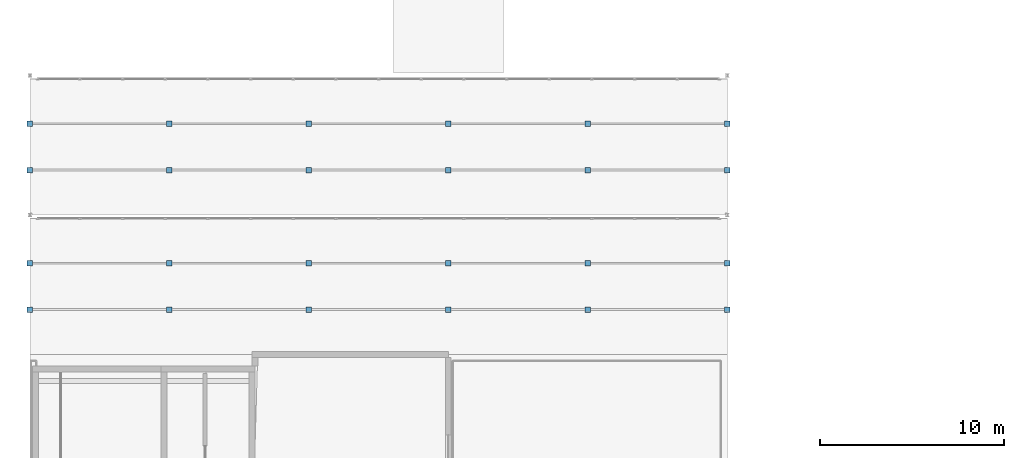
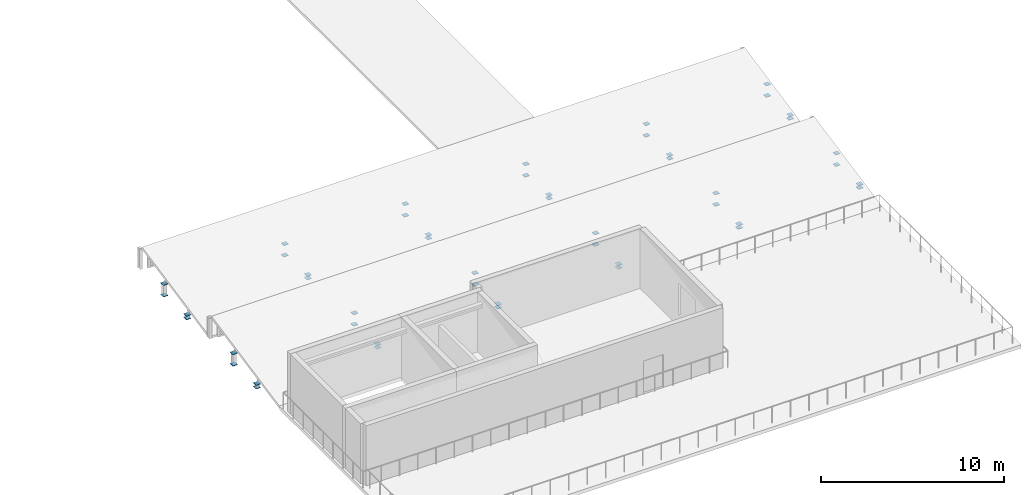
# One storey, part 98 of 114: 48 discrete accessories.
"""IFC4 building model written with IfcOpenShell, lengths in metres."""

from ifc_helpers import new_model, si_unit, direction, frame, origin, origin_2d, place, context, subcontext, project, spatial, rectangle, extrude, material, type_object, element, save


model = new_model("IFC4")

# Units and contexts
model_context = context("Model", 3, precision=1e-05, world=origin(), true_north=direction((0.0, 1.0)))
body_context = subcontext(model_context, "Body", "Model", "MODEL_VIEW")
ifc_project = project(units=[si_unit("LENGTHUNIT", "METRE"), si_unit("AREAUNIT", "SQUARE_METRE"), si_unit("VOLUMEUNIT", "CUBIC_METRE"), si_unit("PLANEANGLEUNIT", "RADIAN"), si_unit("MASSUNIT", "GRAM", prefix="KILO")], contexts=[model_context])

# Site, building, storey
site_placement = place(None, origin())
site = spatial("IfcSite", under=ifc_project, at=site_placement, CompositionType="ELEMENT")
building_placement = place(site_placement, origin())
building = spatial("IfcBuilding", under=site, at=building_placement, Name="Montecoro Central Library", CompositionType="ELEMENT")
storey_placement = place(building_placement, frame((0.0, 0.0, 13.260009765625)))
storey = spatial("IfcBuildingStorey", under=building, at=storey_placement, Name="L03", CompositionType="ELEMENT", Elevation=13.260009765625)

# Discrete accessories
ifc_material = material(Name="Steel S355", Category="steel")
discrete_accessory_type = type_object("IfcDiscreteAccessoryType", Name="GUSSET-PLT-01", PredefinedType="BRACKET", material=ifc_material)
for number, where, z_axis, x_axis, name in (
    (1, (5.0, 22.64208984375, -0.22705078125), (0.0, 0.0, 1.0), (1.0, 0.0, 0.0), "V3-ROOF-STRUT1-33-1-GPA"),
    (2, (5.0, 22.64208984375, 0.008056640625), (0.0, 0.0, 1.0), (1.0, 0.0, 0.0), "V3-ROOF-STRUT1-33-1-GPB"),
    (3, (12.60009765625, 22.64208984375, -0.22705078125), (0.0, 0.0, 1.0), (1.0, 0.0, 0.0), "V3-ROOF-STRUT1-33-2-GPA"),
    (4, (12.60009765625, 22.64208984375, 0.008056640625), (0.0, 0.0, 1.0), (1.0, 0.0, 0.0), "V3-ROOF-STRUT1-33-2-GPB"),
    (5, (20.199951171875, 22.64208984375, -0.22705078125), (0.0, 0.0, 1.0), (1.0, 0.0, 0.0), "V3-ROOF-STRUT1-33-3-GPA"),
    (6, (20.199951171875, 22.64208984375, 0.008056640625), (0.0, 0.0, 1.0), (1.0, 0.0, 0.0), "V3-ROOF-STRUT1-33-3-GPB"),
    (7, (27.800048828125, 22.64208984375, -0.22705078125), (0.0, 0.0, 1.0), (1.0, 0.0, 0.0), "V3-ROOF-STRUT1-33-4-GPA"),
    (8, (27.800048828125, 22.64208984375, 0.008056640625), (0.0, 0.0, 1.0), (1.0, 0.0, 0.0), "V3-ROOF-STRUT1-33-4-GPB"),
    (9, (35.39990234375, 22.64208984375, -0.22705078125), (0.0, 0.0, 1.0), (1.0, 0.0, 0.0), "V3-ROOF-STRUT1-33-5-GPA"),
    (10, (35.39990234375, 22.64208984375, 0.008056640625), (0.0, 0.0, 1.0), (1.0, 0.0, 0.0), "V3-ROOF-STRUT1-33-5-GPB"),
    (11, (43.0, 22.64208984375, -0.22705078125), (0.0, 0.0, 1.0), (1.0, 0.0, 0.0), "V3-ROOF-STRUT1-33-6-GPA"),
    (12, (43.0, 22.64208984375, 0.008056640625), (0.0, 0.0, 1.0), (1.0, 0.0, 0.0), "V3-ROOF-STRUT1-33-6-GPB"),
    (13, (5.0, 25.157958984375, -0.22705078125), (0.0, 0.0, 1.0), (1.0, 0.0, 0.0), "V3-ROOF-STRUT1-67-1-GPA"),
    (14, (5.0, 25.157958984375, 0.5380859375), (0.0, 0.0, 1.0), (1.0, 0.0, 0.0), "V3-ROOF-STRUT1-67-1-GPB"),
    (15, (12.60009765625, 25.157958984375, -0.22705078125), (0.0, 0.0, 1.0), (1.0, 0.0, 0.0), "V3-ROOF-STRUT1-67-2-GPA"),
    (16, (12.60009765625, 25.157958984375, 0.5380859375), (0.0, 0.0, 1.0), (1.0, 0.0, 0.0), "V3-ROOF-STRUT1-67-2-GPB"),
    (17, (20.199951171875, 25.157958984375, -0.22705078125), (0.0, 0.0, 1.0), (1.0, 0.0, 0.0), "V3-ROOF-STRUT1-67-3-GPA"),
    (18, (20.199951171875, 25.157958984375, 0.5380859375), (0.0, 0.0, 1.0), (1.0, 0.0, 0.0), "V3-ROOF-STRUT1-67-3-GPB"),
    (19, (27.800048828125, 25.157958984375, -0.22705078125), (0.0, 0.0, 1.0), (1.0, 0.0, 0.0), "V3-ROOF-STRUT1-67-4-GPA"),
    (20, (27.800048828125, 25.157958984375, 0.5380859375), (0.0, 0.0, 1.0), (1.0, 0.0, 0.0), "V3-ROOF-STRUT1-67-4-GPB"),
    (21, (35.39990234375, 25.157958984375, -0.22705078125), (0.0, 0.0, 1.0), (1.0, 0.0, 0.0), "V3-ROOF-STRUT1-67-5-GPA"),
    (22, (35.39990234375, 25.157958984375, 0.5380859375), (0.0, 0.0, 1.0), (1.0, 0.0, 0.0), "V3-ROOF-STRUT1-67-5-GPB"),
    (23, (43.0, 25.157958984375, -0.22705078125), (0.0, 0.0, 1.0), (1.0, 0.0, 0.0), "V3-ROOF-STRUT1-67-6-GPA"),
    (24, (43.0, 25.157958984375, 0.5380859375), (0.0, 0.0, 1.0), (1.0, 0.0, 0.0), "V3-ROOF-STRUT1-67-6-GPB"),
    (25, (5.0, 30.241943359375, -0.22705078125), (0.0, 0.0, 1.0), (1.0, 0.0, 0.0), "V3-ROOF-STRUT2-33-1-GPA"),
    (26, (5.0, 30.241943359375, 0.008056640625), (0.0, 0.0, 1.0), (1.0, 0.0, 0.0), "V3-ROOF-STRUT2-33-1-GPB"),
    (27, (12.60009765625, 30.241943359375, -0.22705078125), (0.0, 0.0, 1.0), (1.0, 0.0, 0.0), "V3-ROOF-STRUT2-33-2-GPA"),
    (28, (12.60009765625, 30.241943359375, 0.008056640625), (0.0, 0.0, 1.0), (1.0, 0.0, 0.0), "V3-ROOF-STRUT2-33-2-GPB"),
    (29, (20.199951171875, 30.241943359375, -0.22705078125), (0.0, 0.0, 1.0), (1.0, 0.0, 0.0), "V3-ROOF-STRUT2-33-3-GPA"),
    (30, (20.199951171875, 30.241943359375, 0.008056640625), (0.0, 0.0, 1.0), (1.0, 0.0, 0.0), "V3-ROOF-STRUT2-33-3-GPB"),
    (31, (27.800048828125, 30.241943359375, -0.22705078125), (0.0, 0.0, 1.0), (1.0, 0.0, 0.0), "V3-ROOF-STRUT2-33-4-GPA"),
    (32, (27.800048828125, 30.241943359375, 0.008056640625), (0.0, 0.0, 1.0), (1.0, 0.0, 0.0), "V3-ROOF-STRUT2-33-4-GPB"),
    (33, (35.39990234375, 30.241943359375, -0.22705078125), (0.0, 0.0, 1.0), (1.0, 0.0, 0.0), "V3-ROOF-STRUT2-33-5-GPA"),
    (34, (35.39990234375, 30.241943359375, 0.008056640625), (0.0, 0.0, 1.0), (1.0, 0.0, 0.0), "V3-ROOF-STRUT2-33-5-GPB"),
    (35, (43.0, 30.241943359375, -0.22705078125), (0.0, 0.0, 1.0), (1.0, 0.0, 0.0), "V3-ROOF-STRUT2-33-6-GPA"),
    (36, (43.0, 30.241943359375, 0.008056640625), (0.0, 0.0, 1.0), (1.0, 0.0, 0.0), "V3-ROOF-STRUT2-33-6-GPB"),
    (37, (5.0, 32.758056640625, -0.22705078125), (0.0, 0.0, 1.0), (1.0, 0.0, 0.0), "V3-ROOF-STRUT2-67-1-GPA"),
    (38, (5.0, 32.758056640625, 0.5380859375), (0.0, 0.0, 1.0), (1.0, 0.0, 0.0), "V3-ROOF-STRUT2-67-1-GPB"),
    (39, (12.60009765625, 32.758056640625, -0.22705078125), (0.0, 0.0, 1.0), (1.0, 0.0, 0.0), "V3-ROOF-STRUT2-67-2-GPA"),
    (40, (12.60009765625, 32.758056640625, 0.5380859375), (0.0, 0.0, 1.0), (1.0, 0.0, 0.0), "V3-ROOF-STRUT2-67-2-GPB"),
    (41, (20.199951171875, 32.758056640625, -0.22705078125), (0.0, 0.0, 1.0), (1.0, 0.0, 0.0), "V3-ROOF-STRUT2-67-3-GPA"),
    (42, (20.199951171875, 32.758056640625, 0.5380859375), (0.0, 0.0, 1.0), (1.0, 0.0, 0.0), "V3-ROOF-STRUT2-67-3-GPB"),
    (43, (27.800048828125, 32.758056640625, -0.22705078125), (0.0, 0.0, 1.0), (1.0, 0.0, 0.0), "V3-ROOF-STRUT2-67-4-GPA"),
    (44, (27.800048828125, 32.758056640625, 0.5380859375), (0.0, 0.0, 1.0), (1.0, 0.0, 0.0), "V3-ROOF-STRUT2-67-4-GPB"),
    (45, (35.39990234375, 32.758056640625, -0.22705078125), (0.0, 0.0, 1.0), (1.0, 0.0, 0.0), "V3-ROOF-STRUT2-67-5-GPA"),
    (46, (35.39990234375, 32.758056640625, 0.5380859375), (0.0, 0.0, 1.0), (1.0, 0.0, 0.0), "V3-ROOF-STRUT2-67-5-GPB"),
    (47, (43.0, 32.758056640625, -0.22705078125), (0.0, 0.0, 1.0), (1.0, 0.0, 0.0), "V3-ROOF-STRUT2-67-6-GPA"),
    (48, (43.0, 32.758056640625, 0.5380859375), (0.0, 0.0, 1.0), (1.0, 0.0, 0.0), "V3-ROOF-STRUT2-67-6-GPB"),
):
    element("IfcDiscreteAccessory", number, at=place(storey_placement, frame(where, z_axis=z_axis, x_axis=x_axis)), inside=storey, type_object=discrete_accessory_type, Name=name, PredefinedType="BRACKET", context=body_context, shape_type="SweptSolid", body=[
        extrude(rectangle(XDim=0.300048828125, YDim=0.300048828125, at=origin_2d()), origin(), (0.0, 0.0, 1.0), 0.02392578125),
    ])

save(model, "model.ifc")
